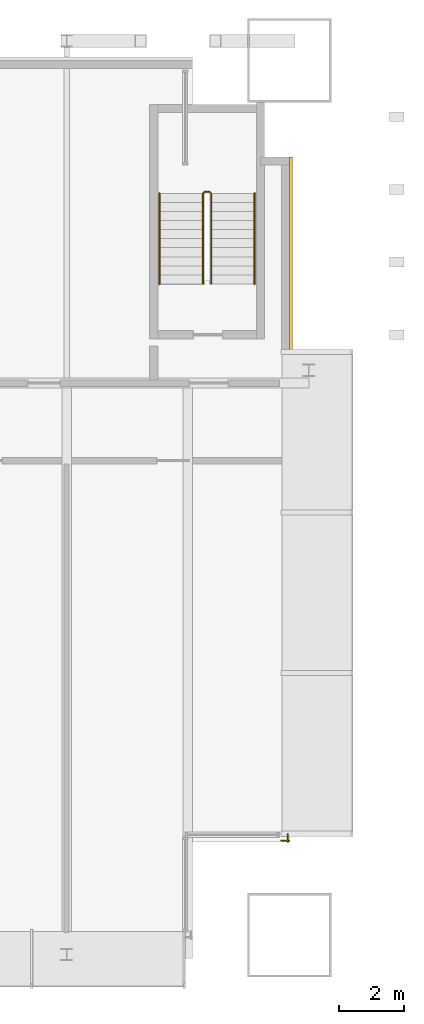
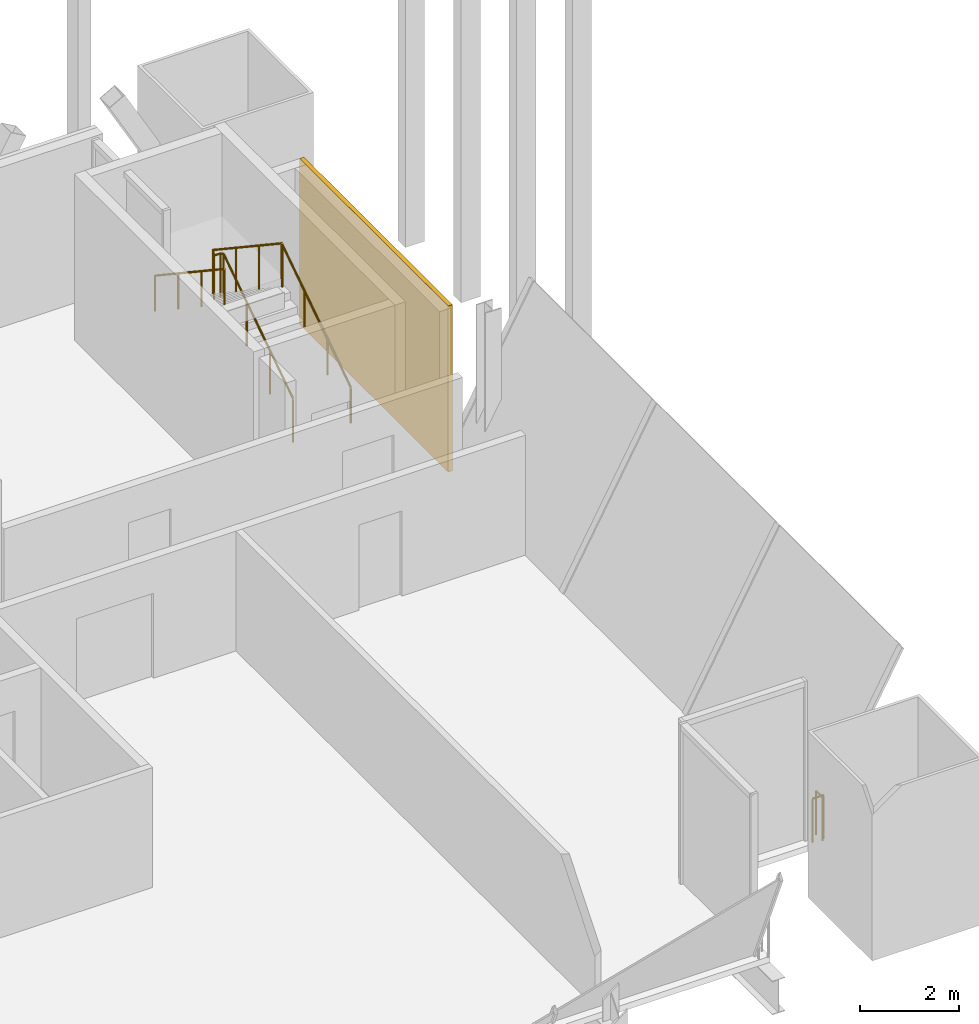
# One storey, part 29 of 29: 4 railings, 1 covering.
"""IFC4 building model written with IfcOpenShell, lengths in metres."""

from ifc_helpers import new_model, si_unit, direction, frame, origin, origin_2d, place, context, subcontext, project, spatial, rectangle, circle, extrude, material, layer, layer_set, type_object, element, save


model = new_model("IFC4")

# Units and contexts
model_context = context("Model", 3, precision=1e-05, world=origin(), true_north=direction((0.0, 1.0)))
body_context = subcontext(model_context, "Body", "Model", "MODEL_VIEW")
ifc_project = project(units=[si_unit("LENGTHUNIT", "METRE"), si_unit("AREAUNIT", "SQUARE_METRE"), si_unit("VOLUMEUNIT", "CUBIC_METRE"), si_unit("PLANEANGLEUNIT", "RADIAN"), si_unit("MASSUNIT", "GRAM", prefix="KILO")], contexts=[model_context])

# Site, building, storey
site_placement = place(None, origin())
site = spatial("IfcSite", under=ifc_project, at=site_placement, CompositionType="ELEMENT")
building_placement = place(site_placement, origin())
building = spatial("IfcBuilding", under=site, at=building_placement, Name="Bicima Exchange Tower", CompositionType="ELEMENT")
storey_placement = place(building_placement, frame((0.0, 0.0, 190.89990234375)))
storey = spatial("IfcBuildingStorey", under=building, at=storey_placement, Name="L42", CompositionType="ELEMENT", Elevation=190.89990234375)

# Covering
ifc_material_1 = material(Name="Bronze metal cladding")
ifc_layer_1 = layer(ifc_material_1, 0.004)
ifc_material_2 = material(Name="Ventilated cavity")
ifc_layer_2 = layer(ifc_material_2, 0.06)
ifc_material_3 = material(Name="Galvanised steel rail and mineral wool", Category="steel")
ifc_layer_3 = layer(ifc_material_3, 0.036)
ifc_layer_set = layer_set([ifc_layer_1, ifc_layer_2, ifc_layer_3], Name="Ventilated cavity")
covering_type = type_object("IfcCoveringType", Name="Bronze metal cladding panel 100", PredefinedType="CLADDING", material=ifc_layer_set)
covering_placement = place(storey_placement, frame((33.050048828125, -9.0, -0.14990234375), z_axis=(0.0, 0.0, 1.0), x_axis=(0.0, 1.0, 0.0)))
element("IfcCovering", 1, at=covering_placement, inside=storey, type_object=covering_type, Name="Bronze cladding L42 2.1", PredefinedType="CLADDING", context=body_context, shape_type="SweptSolid", body=[
    extrude(rectangle(XDim=6.0, YDim=0.10009765625, at=origin_2d()), origin(), (0.0, 0.0, 1.0), 4.10009765625),
])

# Railings
ifc_material_4 = material(Name="Stainless steel and bonded safety glass", Category="steel")
railing_type_1 = type_object("IfcRailingType", Name="Edge guard 1100", PredefinedType="GUARDRAIL", material=ifc_material_4)
railing_1_placement = place(storey_placement, frame((32.949951171875, -26.966064453125, 0.0)))
element("IfcRailing", 2, at=railing_1_placement, inside=storey, type_object=railing_type_1, Name="Edge guard L42 212", PredefinedType="GUARDRAIL", context=body_context, shape_type="SweptSolid", body=[
    extrude(circle(Radius=0.02392578125, at=origin_2d()), frame((0.0, 0.0, 1.076171875), z_axis=(0.0, -1.0, 0.0), x_axis=(1.0, 0.0, 0.0)), (0.0, 0.0, 1.0), 0.25),
    extrude(circle(Radius=0.02392578125, at=origin_2d()), frame((0.0, -0.25, 1.076171875), z_axis=(0.707106781187, 0.707106781187, 0.0), x_axis=(-0.707106781187, 0.707106781187, 0.0)), (0.0, 0.0, 1.0), 0.07080078125),
    extrude(circle(Radius=0.02392578125, at=origin_2d()), frame((0.050048828125, -0.199951171875, 1.076171875), z_axis=(-1.0, 0.0, 0.0), x_axis=(0.0, -1.0, 0.0)), (0.0, 0.0, 1.0), 0.25),
    extrude(circle(Radius=0.02099609375, at=origin_2d()), origin(), (0.0, 0.0, 1.0), 1.052001953125),
    extrude(circle(Radius=0.02099609375, at=origin_2d()), frame((0.0, -0.25, 0.0)), (0.0, 0.0, 1.0), 1.052001953125),
    extrude(circle(Radius=0.02099609375, at=origin_2d()), frame((0.050048828125, -0.199951171875, 0.0)), (0.0, 0.0, 1.0), 1.052001953125),
    extrude(circle(Radius=0.02099609375, at=origin_2d()), frame((-0.199951171875, -0.199951171875, 0.0)), (0.0, 0.0, 1.0), 1.052001953125),
])
ifc_material_5 = material(Name="Stainless steel", Category="steel")
railing_type_2 = type_object("IfcRailingType", Name="Stair guard 1100", PredefinedType="GUARDRAIL", material=ifc_material_5)
railing_2_placement = place(storey_placement, frame((30.574951171875, -9.925048828125, 0.1865234375)))
element("IfcRailing", 3, at=railing_2_placement, inside=storey, type_object=railing_type_2, Name="L42 ST-EE stair guard 1", PredefinedType="GUARDRAIL", context=body_context, shape_type="SweptSolid", body=[
    extrude(circle(Radius=0.02392578125, at=origin_2d()), frame((0.0, 0.0, 1.076171875), z_axis=(0.0, 0.832485552168, 0.554046753832), x_axis=(-1.0, 0.0, 0.0)), (0.0, 0.0, 1.0), 3.363525390625),
    extrude(circle(Radius=0.02392578125, at=origin_2d()), frame((0.0, 2.800048828125, 2.939453125), z_axis=(-0.707106781187, 0.707106781187, 0.0), x_axis=(-0.707106781187, -0.707106781187, 0.0)), (0.0, 0.0, 1.0), 0.07080078125),
    extrude(circle(Radius=0.02392578125, at=origin_2d()), frame((-0.050048828125, 2.85009765625, 2.939453125), z_axis=(-1.0, 0.0, 0.0), x_axis=(0.0, -1.0, 0.0)), (0.0, 0.0, 1.0), 0.14990234375),
    extrude(circle(Radius=0.02392578125, at=origin_2d()), frame((-0.199951171875, 2.85009765625, 2.939453125), z_axis=(-0.250869701741, -0.250869701741, 0.934948546978), x_axis=(0.707106781187, -0.707106781187, 0.0)), (0.0, 0.0, 1.0), 0.199462890625),
    extrude(circle(Radius=0.02392578125, at=origin_2d()), frame((-0.25, 2.800048828125, 3.1259765625), z_axis=(0.0, -0.832485552168, 0.554046753832), x_axis=(1.0, 0.0, 0.0)), (0.0, 0.0, 1.0), 3.363525390625),
    extrude(circle(Radius=0.02099609375, at=origin_2d()), origin(), (0.0, 0.0, 1.0), 1.052001953125),
    extrude(circle(Radius=0.02099609375, at=origin_2d()), frame((0.0, 0.933349609375, 0.62109375)), (0.0, 0.0, 1.0), 1.052001953125),
    extrude(circle(Radius=0.02099609375, at=origin_2d()), frame((0.0, 1.86669921875, 1.242431640625)), (0.0, 0.0, 1.0), 1.052001953125),
    extrude(circle(Radius=0.02099609375, at=origin_2d()), frame((0.0, 2.800048828125, 1.863525390625)), (0.0, 0.0, 1.0), 1.052001953125),
    extrude(circle(Radius=0.02099609375, at=origin_2d()), frame((-0.050048828125, 2.85009765625, 1.863525390625)), (0.0, 0.0, 1.0), 1.052001953125),
    extrude(circle(Radius=0.02099609375, at=origin_2d()), frame((-0.199951171875, 2.85009765625, 1.863525390625)), (0.0, 0.0, 1.0), 1.052001953125),
    extrude(circle(Radius=0.02099609375, at=origin_2d()), frame((-0.25, 2.800048828125, 2.050048828125)), (0.0, 0.0, 1.0), 1.052001953125),
    extrude(circle(Radius=0.02099609375, at=origin_2d()), frame((-0.25, 1.86669921875, 2.671142578125)), (0.0, 0.0, 1.0), 1.052001953125),
    extrude(circle(Radius=0.02099609375, at=origin_2d()), frame((-0.25, 0.933349609375, 3.29248046875)), (0.0, 0.0, 1.0), 1.052001953125),
    extrude(circle(Radius=0.02099609375, at=origin_2d()), frame((-0.25, 0.0, 3.91357421875)), (0.0, 0.0, 1.0), 1.052001953125),
])
railing_type_3 = type_object("IfcRailingType", Name="Stair handrail 900", PredefinedType="HANDRAIL", material=ifc_material_5)
railing_3_placement = place(storey_placement, frame((31.925048828125, -9.925048828125, 0.1865234375)))
element("IfcRailing", 4, at=railing_3_placement, inside=storey, type_object=railing_type_3, Name="L42 ST-EE stair handrail 1", PredefinedType="HANDRAIL", context=body_context, shape_type="SweptSolid", body=[
    extrude(circle(Radius=0.02392578125, at=origin_2d()), frame((0.0, 0.0, 0.8759765625), z_axis=(0.0, 0.832485552168, 0.554046753832), x_axis=(-1.0, 0.0, 0.0)), (0.0, 0.0, 1.0), 3.363525390625),
    extrude(circle(Radius=0.02099609375, at=origin_2d()), origin(), (0.0, 0.0, 1.0), 0.851806640625),
    extrude(circle(Radius=0.02099609375, at=origin_2d()), frame((0.0, 0.933349609375, 0.62109375)), (0.0, 0.0, 1.0), 0.851806640625),
    extrude(circle(Radius=0.02099609375, at=origin_2d()), frame((0.0, 1.86669921875, 1.242431640625)), (0.0, 0.0, 1.0), 0.851806640625),
    extrude(circle(Radius=0.02099609375, at=origin_2d()), frame((0.0, 2.800048828125, 1.863525390625)), (0.0, 0.0, 1.0), 0.851806640625),
])
railing_4_placement = place(storey_placement, frame((28.97509765625, -7.125, 2.27685546875)))
element("IfcRailing", 5, at=railing_4_placement, inside=storey, type_object=railing_type_3, Name="L42 ST-EE stair handrail 2", PredefinedType="HANDRAIL", context=body_context, shape_type="SweptSolid", body=[
    extrude(circle(Radius=0.02392578125, at=origin_2d()), frame((0.0, 0.0, 0.8759765625), z_axis=(0.0, -0.832485552168, 0.554046753832), x_axis=(1.0, 0.0, 0.0)), (0.0, 0.0, 1.0), 3.363525390625),
    extrude(circle(Radius=0.02099609375, at=origin_2d()), origin(), (0.0, 0.0, 1.0), 0.851806640625),
    extrude(circle(Radius=0.02099609375, at=origin_2d()), frame((0.0, -0.933349609375, 0.62109375)), (0.0, 0.0, 1.0), 0.851806640625),
    extrude(circle(Radius=0.02099609375, at=origin_2d()), frame((0.0, -1.86669921875, 1.242431640625)), (0.0, 0.0, 1.0), 0.851806640625),
    extrude(circle(Radius=0.02099609375, at=origin_2d()), frame((0.0, -2.800048828125, 1.863525390625)), (0.0, 0.0, 1.0), 0.851806640625),
])

save(model, "model.ifc")
